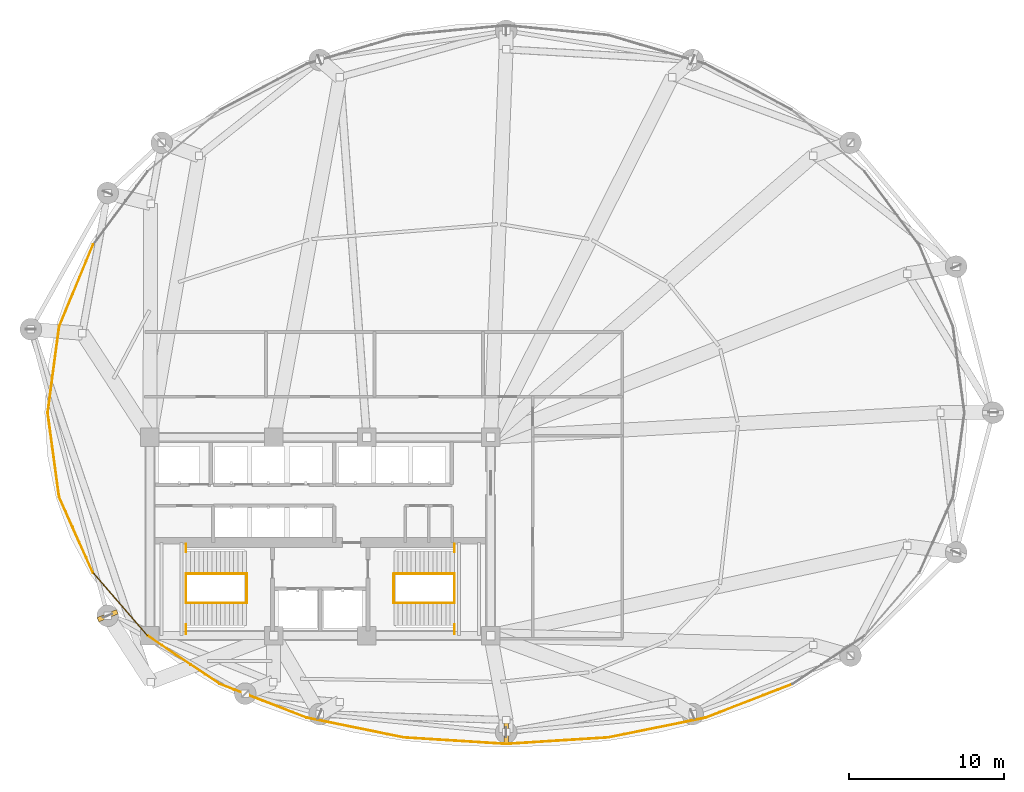
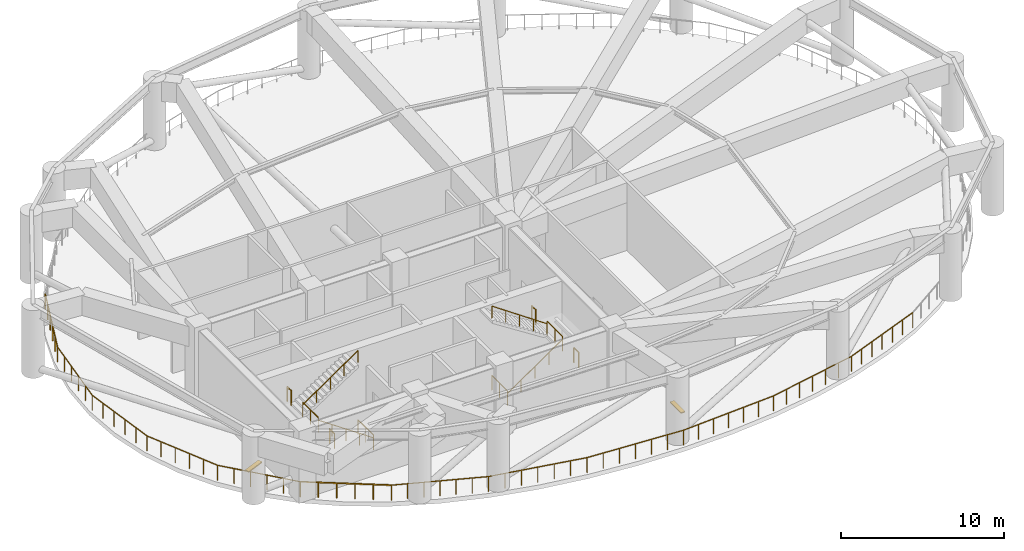
# One storey, part 8 of 9: 24 railings, 2 shading devices.
"""IFC4 building model written with IfcOpenShell, lengths in metres."""

from ifc_helpers import new_model, si_unit, direction, frame, origin, origin_2d, place, context, subcontext, project, spatial, rectangle, extrude, material, type_object, element, save


model = new_model("IFC4")

# Units and contexts
model_context = context("Model", 3, precision=1e-05, world=origin(), true_north=direction((0.0, 1.0)))
body_context = subcontext(model_context, "Body", "Model", "MODEL_VIEW")
ifc_project = project(units=[si_unit("LENGTHUNIT", "METRE"), si_unit("AREAUNIT", "SQUARE_METRE"), si_unit("VOLUMEUNIT", "CUBIC_METRE"), si_unit("PLANEANGLEUNIT", "RADIAN"), si_unit("MASSUNIT", "GRAM", prefix="KILO")], contexts=[model_context])

# Site, building, storey
site_placement = place(None, origin())
site = spatial("IfcSite", under=ifc_project, at=site_placement, CompositionType="ELEMENT")
building_placement = place(site_placement, origin())
building = spatial("IfcBuilding", under=site, at=building_placement, Name="Kazevale Care Tower and Concert Hall", CompositionType="ELEMENT")
storey_placement = place(building_placement, frame((0.0, 0.0, 92.39990234375)))
storey = spatial("IfcBuildingStorey", under=building, at=storey_placement, Name="L24", CompositionType="ELEMENT", Elevation=92.39990234375)

# Railings
ifc_material_1 = material(Name="Stainless Steel 316", Category="steel")
railing_type_1 = type_object("IfcRailingType", Name="Stair Pitch Handrail 920", PredefinedType="HANDRAIL", material=ifc_material_1)
railing_1_placement = place(storey_placement, frame((28.25, 25.699951171875, 0.0)))
element("IfcRailing", 1, at=railing_1_placement, inside=storey, type_object=railing_type_1, Name="stair:L24:ST1:hr1", PredefinedType="HANDRAIL", context=body_context, shape_type="SweptSolid", body=[
    extrude(rectangle(XDim=0.048095703125, YDim=0.048095703125, at=origin_2d()), frame((0.0, 0.0, 0.89599609375), z_axis=(-0.823526770215, 0.0, 0.56727740898), x_axis=(0.0, -1.0, 0.0)), (0.0, 0.0, 1.0), 4.760009765625),
    extrude(rectangle(XDim=0.0419921875, YDim=0.0419921875, at=origin_2d()), origin(), (0.0, 0.0, 1.0), 0.871826171875),
    extrude(rectangle(XDim=0.0419921875, YDim=0.0419921875, at=origin_2d()), frame((-0.97998046875, 0.0, 0.675048828125)), (0.0, 0.0, 1.0), 0.871826171875),
    extrude(rectangle(XDim=0.0419921875, YDim=0.0419921875, at=origin_2d()), frame((-1.9599609375, 0.0, 1.35009765625)), (0.0, 0.0, 1.0), 0.871826171875),
    extrude(rectangle(XDim=0.0419921875, YDim=0.0419921875, at=origin_2d()), frame((-2.93994140625, 0.0, 2.025146484375)), (0.0, 0.0, 1.0), 0.871826171875),
    extrude(rectangle(XDim=0.0419921875, YDim=0.0419921875, at=origin_2d()), frame((-3.919921875, 0.0, 2.7001953125)), (0.0, 0.0, 1.0), 0.871826171875),
])
railing_2_placement = place(storey_placement, frame((24.330078125, 27.60009765625, 2.7001953125)))
element("IfcRailing", 2, at=railing_2_placement, inside=storey, type_object=railing_type_1, Name="stair:L24:ST1:hr2", PredefinedType="HANDRAIL", context=body_context, shape_type="SweptSolid", body=[
    extrude(rectangle(XDim=0.048095703125, YDim=0.048095703125, at=origin_2d()), frame((0.0, 0.0, 0.89599609375), z_axis=(0.823550731654, 0.0, 0.567242622158), x_axis=(0.0, 1.0, 0.0)), (0.0, 0.0, 1.0), 4.759765625),
    extrude(rectangle(XDim=0.0419921875, YDim=0.0419921875, at=origin_2d()), origin(), (0.0, 0.0, 1.0), 0.871826171875),
    extrude(rectangle(XDim=0.0419921875, YDim=0.0419921875, at=origin_2d()), frame((0.97998046875, 0.0, 0.675048828125)), (0.0, 0.0, 1.0), 0.871826171875),
    extrude(rectangle(XDim=0.0419921875, YDim=0.0419921875, at=origin_2d()), frame((1.9599609375, 0.0, 1.35009765625)), (0.0, 0.0, 1.0), 0.871826171875),
    extrude(rectangle(XDim=0.0419921875, YDim=0.0419921875, at=origin_2d()), frame((2.93994140625, 0.0, 2.02490234375)), (0.0, 0.0, 1.0), 0.871826171875),
    extrude(rectangle(XDim=0.0419921875, YDim=0.0419921875, at=origin_2d()), frame((3.919921875, 0.0, 2.699951171875)), (0.0, 0.0, 1.0), 0.871826171875),
])
railing_3_placement = place(storey_placement, frame((37.75, 25.699951171875, 0.0)))
element("IfcRailing", 3, at=railing_3_placement, inside=storey, type_object=railing_type_1, Name="stair:L24:ST2:hr1", PredefinedType="HANDRAIL", context=body_context, shape_type="SweptSolid", body=[
    extrude(rectangle(XDim=0.048095703125, YDim=0.048095703125, at=origin_2d()), frame((0.0, 0.0, 0.89599609375), z_axis=(0.823526770215, 0.0, 0.56727740898), x_axis=(0.0, 1.0, 0.0)), (0.0, 0.0, 1.0), 4.760009765625),
    extrude(rectangle(XDim=0.0419921875, YDim=0.0419921875, at=origin_2d()), origin(), (0.0, 0.0, 1.0), 0.871826171875),
    extrude(rectangle(XDim=0.0419921875, YDim=0.0419921875, at=origin_2d()), frame((0.97998046875, 0.0, 0.675048828125)), (0.0, 0.0, 1.0), 0.871826171875),
    extrude(rectangle(XDim=0.0419921875, YDim=0.0419921875, at=origin_2d()), frame((1.9599609375, 0.0, 1.35009765625)), (0.0, 0.0, 1.0), 0.871826171875),
    extrude(rectangle(XDim=0.0419921875, YDim=0.0419921875, at=origin_2d()), frame((2.93994140625, 0.0, 2.025146484375)), (0.0, 0.0, 1.0), 0.871826171875),
    extrude(rectangle(XDim=0.0419921875, YDim=0.0419921875, at=origin_2d()), frame((3.919921875, 0.0, 2.7001953125)), (0.0, 0.0, 1.0), 0.871826171875),
])
railing_4_placement = place(storey_placement, frame((41.669921875, 27.60009765625, 2.7001953125)))
element("IfcRailing", 4, at=railing_4_placement, inside=storey, type_object=railing_type_1, Name="stair:L24:ST2:hr2", PredefinedType="HANDRAIL", context=body_context, shape_type="SweptSolid", body=[
    extrude(rectangle(XDim=0.048095703125, YDim=0.048095703125, at=origin_2d()), frame((0.0, 0.0, 0.89599609375), z_axis=(-0.823550731654, 0.0, 0.567242622158), x_axis=(0.0, -1.0, 0.0)), (0.0, 0.0, 1.0), 4.759765625),
    extrude(rectangle(XDim=0.0419921875, YDim=0.0419921875, at=origin_2d()), origin(), (0.0, 0.0, 1.0), 0.871826171875),
    extrude(rectangle(XDim=0.0419921875, YDim=0.0419921875, at=origin_2d()), frame((-0.97998046875, 0.0, 0.675048828125)), (0.0, 0.0, 1.0), 0.871826171875),
    extrude(rectangle(XDim=0.0419921875, YDim=0.0419921875, at=origin_2d()), frame((-1.9599609375, 0.0, 1.35009765625)), (0.0, 0.0, 1.0), 0.871826171875),
    extrude(rectangle(XDim=0.0419921875, YDim=0.0419921875, at=origin_2d()), frame((-2.93994140625, 0.0, 2.02490234375)), (0.0, 0.0, 1.0), 0.871826171875),
    extrude(rectangle(XDim=0.0419921875, YDim=0.0419921875, at=origin_2d()), frame((-3.919921875, 0.0, 2.699951171875)), (0.0, 0.0, 1.0), 0.871826171875),
])
railing_type_2 = type_object("IfcRailingType", Name="Stair Well Guard Balustrade 1120", PredefinedType="BALUSTRADE", material=ifc_material_1)
railing_5_placement = place(storey_placement, frame((24.330078125, 23.699951171875, 2.7001953125)))
element("IfcRailing", 5, at=railing_5_placement, inside=storey, type_object=railing_type_2, Name="stair:L24:ST1:grd_side1", PredefinedType="BALUSTRADE", context=body_context, shape_type="SweptSolid", body=[
    extrude(rectangle(XDim=0.048095703125, YDim=0.048095703125, at=origin_2d()), frame((0.0, 0.0, 1.09619140625), z_axis=(0.0, 1.0, 0.0), x_axis=(-1.0, 0.0, 0.0)), (0.0, 0.0, 1.0), 0.610107421875),
    extrude(rectangle(XDim=0.0419921875, YDim=0.0419921875, at=origin_2d()), origin(), (0.0, 0.0, 1.0), 1.072021484375),
    extrude(rectangle(XDim=0.0419921875, YDim=0.0419921875, at=origin_2d()), frame((0.0, 0.610107421875, 0.0)), (0.0, 0.0, 1.0), 1.072021484375),
])
railing_6_placement = place(storey_placement, frame((24.330078125, 28.989990234375, 2.7001953125)))
element("IfcRailing", 6, at=railing_6_placement, inside=storey, type_object=railing_type_2, Name="stair:L24:ST1:grd_side2", PredefinedType="BALUSTRADE", context=body_context, shape_type="SweptSolid", body=[
    extrude(rectangle(XDim=0.048095703125, YDim=0.048095703125, at=origin_2d()), frame((0.0, 0.0, 1.09619140625), z_axis=(0.0, 1.0, 0.0), x_axis=(-1.0, 0.0, 0.0)), (0.0, 0.0, 1.0), 0.510009765625),
    extrude(rectangle(XDim=0.0419921875, YDim=0.0419921875, at=origin_2d()), origin(), (0.0, 0.0, 1.0), 1.072021484375),
    extrude(rectangle(XDim=0.0419921875, YDim=0.0419921875, at=origin_2d()), frame((0.0, 0.510009765625, 0.0)), (0.0, 0.0, 1.0), 1.072021484375),
])
for number, where, name in (
    (7, (24.330078125, 25.699951171875, 2.7001953125), "stair:L24:ST1:grd_mid"),
    (8, (28.25, 25.699951171875, 0.0), "stair:L24:ST1:grd_flr"),
):
    element("IfcRailing", number, at=place(storey_placement, frame(where)), inside=storey, type_object=railing_type_2, Name=name, PredefinedType="BALUSTRADE", context=body_context, shape_type="SweptSolid", body=[
        extrude(rectangle(XDim=0.048095703125, YDim=0.048095703125, at=origin_2d()), frame((0.0, 0.0, 1.09619140625), z_axis=(0.0, 1.0, 0.0), x_axis=(-1.0, 0.0, 0.0)), (0.0, 0.0, 1.0), 1.900146484375),
        extrude(rectangle(XDim=0.0419921875, YDim=0.0419921875, at=origin_2d()), origin(), (0.0, 0.0, 1.0), 1.072021484375),
        extrude(rectangle(XDim=0.0419921875, YDim=0.0419921875, at=origin_2d()), frame((0.0, 0.9501953125, 0.0)), (0.0, 0.0, 1.0), 1.072021484375),
        extrude(rectangle(XDim=0.0419921875, YDim=0.0419921875, at=origin_2d()), frame((0.0, 1.900146484375, 0.0)), (0.0, 0.0, 1.0), 1.072021484375),
    ])
railing_7_placement = place(storey_placement, frame((41.669921875, 23.699951171875, 2.7001953125)))
element("IfcRailing", 9, at=railing_7_placement, inside=storey, type_object=railing_type_2, Name="stair:L24:ST2:grd_side1", PredefinedType="BALUSTRADE", context=body_context, shape_type="SweptSolid", body=[
    extrude(rectangle(XDim=0.048095703125, YDim=0.048095703125, at=origin_2d()), frame((0.0, 0.0, 1.09619140625), z_axis=(0.0, 1.0, 0.0), x_axis=(-1.0, 0.0, 0.0)), (0.0, 0.0, 1.0), 0.610107421875),
    extrude(rectangle(XDim=0.0419921875, YDim=0.0419921875, at=origin_2d()), origin(), (0.0, 0.0, 1.0), 1.072021484375),
    extrude(rectangle(XDim=0.0419921875, YDim=0.0419921875, at=origin_2d()), frame((0.0, 0.610107421875, 0.0)), (0.0, 0.0, 1.0), 1.072021484375),
])
railing_8_placement = place(storey_placement, frame((41.669921875, 28.989990234375, 2.7001953125)))
element("IfcRailing", 10, at=railing_8_placement, inside=storey, type_object=railing_type_2, Name="stair:L24:ST2:grd_side2", PredefinedType="BALUSTRADE", context=body_context, shape_type="SweptSolid", body=[
    extrude(rectangle(XDim=0.048095703125, YDim=0.048095703125, at=origin_2d()), frame((0.0, 0.0, 1.09619140625), z_axis=(0.0, 1.0, 0.0), x_axis=(-1.0, 0.0, 0.0)), (0.0, 0.0, 1.0), 0.510009765625),
    extrude(rectangle(XDim=0.0419921875, YDim=0.0419921875, at=origin_2d()), origin(), (0.0, 0.0, 1.0), 1.072021484375),
    extrude(rectangle(XDim=0.0419921875, YDim=0.0419921875, at=origin_2d()), frame((0.0, 0.510009765625, 0.0)), (0.0, 0.0, 1.0), 1.072021484375),
])
for number, where, name in (
    (11, (41.669921875, 25.699951171875, 2.7001953125), "stair:L24:ST2:grd_mid"),
    (12, (37.75, 25.699951171875, 0.0), "stair:L24:ST2:grd_flr"),
):
    element("IfcRailing", number, at=place(storey_placement, frame(where)), inside=storey, type_object=railing_type_2, Name=name, PredefinedType="BALUSTRADE", context=body_context, shape_type="SweptSolid", body=[
        extrude(rectangle(XDim=0.048095703125, YDim=0.048095703125, at=origin_2d()), frame((0.0, 0.0, 1.09619140625), z_axis=(0.0, 1.0, 0.0), x_axis=(-1.0, 0.0, 0.0)), (0.0, 0.0, 1.0), 1.900146484375),
        extrude(rectangle(XDim=0.0419921875, YDim=0.0419921875, at=origin_2d()), origin(), (0.0, 0.0, 1.0), 1.072021484375),
        extrude(rectangle(XDim=0.0419921875, YDim=0.0419921875, at=origin_2d()), frame((0.0, 0.9501953125, 0.0)), (0.0, 0.0, 1.0), 1.072021484375),
        extrude(rectangle(XDim=0.0419921875, YDim=0.0419921875, at=origin_2d()), frame((0.0, 1.900146484375, 0.0)), (0.0, 0.0, 1.0), 1.072021484375),
    ])
railing_type_3 = type_object("IfcRailingType", Name="Wind-Floor & Portal Guardrail 1150", PredefinedType="BALUSTRADE", material=ifc_material_1)
railing_9_placement = place(storey_placement, frame((63.489013671875, 20.469970703125, 0.0)))
element("IfcRailing", 13, at=railing_9_placement, inside=storey, type_object=railing_type_3, Name="rail:L24:wind_perim:05", PredefinedType="BALUSTRADE", context=body_context, shape_type="SweptSolid", body=[
    extrude(rectangle(XDim=0.048095703125, YDim=0.048095703125, at=origin_2d()), frame((0.0, 0.0, 1.1259765625), z_axis=(-0.93226535397, -0.361775219974, 0.0), x_axis=(0.361775219974, -0.93226535397, 0.0)), (0.0, 0.0, 1.0), 6.02294921875),
    extrude(rectangle(XDim=0.0419921875, YDim=0.0419921875, at=origin_2d()), origin(), (0.0, 0.0, 1.0), 1.101806640625),
    extrude(rectangle(XDim=0.0419921875, YDim=0.0419921875, at=origin_2d()), frame((-0.935791015625, -0.36328125, 0.0)), (0.0, 0.0, 1.0), 1.101806640625),
    extrude(rectangle(XDim=0.0419921875, YDim=0.0419921875, at=origin_2d()), frame((-1.87158203125, -0.726318359375, 0.0)), (0.0, 0.0, 1.0), 1.101806640625),
    extrude(rectangle(XDim=0.0419921875, YDim=0.0419921875, at=origin_2d()), frame((-2.8076171875, -1.08935546875, 0.0)), (0.0, 0.0, 1.0), 1.101806640625),
    extrude(rectangle(XDim=0.0419921875, YDim=0.0419921875, at=origin_2d()), frame((-3.743408203125, -1.45263671875, 0.0)), (0.0, 0.0, 1.0), 1.101806640625),
    extrude(rectangle(XDim=0.0419921875, YDim=0.0419921875, at=origin_2d()), frame((-4.67919921875, -1.81591796875, 0.0)), (0.0, 0.0, 1.0), 1.101806640625),
    extrude(rectangle(XDim=0.0419921875, YDim=0.0419921875, at=origin_2d()), frame((-5.614990234375, -2.178955078125, 0.0)), (0.0, 0.0, 1.0), 1.101806640625),
])
railing_10_placement = place(storey_placement, frame((57.8740234375, 18.291015625, 0.0)))
element("IfcRailing", 14, at=railing_10_placement, inside=storey, type_object=railing_type_3, Name="rail:L24:wind_perim:06", PredefinedType="BALUSTRADE", context=body_context, shape_type="SweptSolid", body=[
    extrude(rectangle(XDim=0.048095703125, YDim=0.048095703125, at=origin_2d()), frame((0.0, 0.0, 1.1259765625), z_axis=(-0.97997126342, -0.199138953677, 0.0), x_axis=(0.199138953677, -0.97997126342, 0.0)), (0.0, 0.0, 1.0), 6.397216796875),
    extrude(rectangle(XDim=0.0419921875, YDim=0.0419921875, at=origin_2d()), origin(), (0.0, 0.0, 1.0), 1.101806640625),
    extrude(rectangle(XDim=0.0419921875, YDim=0.0419921875, at=origin_2d()), frame((-1.044921875, -0.21240234375, 0.0)), (0.0, 0.0, 1.0), 1.101806640625),
    extrude(rectangle(XDim=0.0419921875, YDim=0.0419921875, at=origin_2d()), frame((-2.089599609375, -0.424560546875, 0.0)), (0.0, 0.0, 1.0), 1.101806640625),
    extrude(rectangle(XDim=0.0419921875, YDim=0.0419921875, at=origin_2d()), frame((-3.134521484375, -0.636962890625, 0.0)), (0.0, 0.0, 1.0), 1.101806640625),
    extrude(rectangle(XDim=0.0419921875, YDim=0.0419921875, at=origin_2d()), frame((-4.179443359375, -0.849365234375, 0.0)), (0.0, 0.0, 1.0), 1.101806640625),
    extrude(rectangle(XDim=0.0419921875, YDim=0.0419921875, at=origin_2d()), frame((-5.22412109375, -1.0615234375, 0.0)), (0.0, 0.0, 1.0), 1.101806640625),
    extrude(rectangle(XDim=0.0419921875, YDim=0.0419921875, at=origin_2d()), frame((-6.26904296875, -1.27392578125, 0.0)), (0.0, 0.0, 1.0), 1.101806640625),
])
railing_11_placement = place(storey_placement, frame((51.60498046875, 17.01708984375, 0.0)))
element("IfcRailing", 15, at=railing_11_placement, inside=storey, type_object=railing_type_3, Name="rail:L24:wind_perim:07", PredefinedType="BALUSTRADE", context=body_context, shape_type="SweptSolid", body=[
    extrude(rectangle(XDim=0.048095703125, YDim=0.048095703125, at=origin_2d()), frame((0.0, 0.0, 1.1259765625), z_axis=(-0.998013050262, -0.063007551188, 0.0), x_axis=(0.063007551188, -0.998013050262, 0.0)), (0.0, 0.0, 1.0), 6.6181640625),
    extrude(rectangle(XDim=0.0419921875, YDim=0.0419921875, at=origin_2d()), origin(), (0.0, 0.0, 1.0), 1.101806640625),
    extrude(rectangle(XDim=0.0419921875, YDim=0.0419921875, at=origin_2d()), frame((-1.100830078125, -0.069580078125, 0.0)), (0.0, 0.0, 1.0), 1.101806640625),
    extrude(rectangle(XDim=0.0419921875, YDim=0.0419921875, at=origin_2d()), frame((-2.20166015625, -0.138916015625, 0.0)), (0.0, 0.0, 1.0), 1.101806640625),
    extrude(rectangle(XDim=0.0419921875, YDim=0.0419921875, at=origin_2d()), frame((-3.302490234375, -0.20849609375, 0.0)), (0.0, 0.0, 1.0), 1.101806640625),
    extrude(rectangle(XDim=0.0419921875, YDim=0.0419921875, at=origin_2d()), frame((-4.4033203125, -0.278076171875, 0.0)), (0.0, 0.0, 1.0), 1.101806640625),
    extrude(rectangle(XDim=0.0419921875, YDim=0.0419921875, at=origin_2d()), frame((-5.504150390625, -0.347412109375, 0.0)), (0.0, 0.0, 1.0), 1.101806640625),
    extrude(rectangle(XDim=0.0419921875, YDim=0.0419921875, at=origin_2d()), frame((-6.60498046875, -0.4169921875, 0.0)), (0.0, 0.0, 1.0), 1.101806640625),
])
railing_12_placement = place(storey_placement, frame((45.0, 16.60009765625, 0.0)))
element("IfcRailing", 16, at=railing_12_placement, inside=storey, type_object=railing_type_3, Name="rail:L24:wind_perim:08", PredefinedType="BALUSTRADE", context=body_context, shape_type="SweptSolid", body=[
    extrude(rectangle(XDim=0.048095703125, YDim=0.048095703125, at=origin_2d()), frame((0.0, 0.0, 1.1259765625), z_axis=(-0.998013050262, 0.063007551188, 0.0), x_axis=(-0.063007551188, -0.998013050262, 0.0)), (0.0, 0.0, 1.0), 6.6181640625),
    extrude(rectangle(XDim=0.0419921875, YDim=0.0419921875, at=origin_2d()), origin(), (0.0, 0.0, 1.0), 1.101806640625),
    extrude(rectangle(XDim=0.0419921875, YDim=0.0419921875, at=origin_2d()), frame((-1.100830078125, 0.069580078125, 0.0)), (0.0, 0.0, 1.0), 1.101806640625),
    extrude(rectangle(XDim=0.0419921875, YDim=0.0419921875, at=origin_2d()), frame((-2.20166015625, 0.138916015625, 0.0)), (0.0, 0.0, 1.0), 1.101806640625),
    extrude(rectangle(XDim=0.0419921875, YDim=0.0419921875, at=origin_2d()), frame((-3.302490234375, 0.20849609375, 0.0)), (0.0, 0.0, 1.0), 1.101806640625),
    extrude(rectangle(XDim=0.0419921875, YDim=0.0419921875, at=origin_2d()), frame((-4.4033203125, 0.278076171875, 0.0)), (0.0, 0.0, 1.0), 1.101806640625),
    extrude(rectangle(XDim=0.0419921875, YDim=0.0419921875, at=origin_2d()), frame((-5.504150390625, 0.347412109375, 0.0)), (0.0, 0.0, 1.0), 1.101806640625),
    extrude(rectangle(XDim=0.0419921875, YDim=0.0419921875, at=origin_2d()), frame((-6.60498046875, 0.4169921875, 0.0)), (0.0, 0.0, 1.0), 1.101806640625),
])
railing_13_placement = place(storey_placement, frame((38.39501953125, 17.01708984375, 0.0)))
element("IfcRailing", 17, at=railing_13_placement, inside=storey, type_object=railing_type_3, Name="rail:L24:wind_perim:09", PredefinedType="BALUSTRADE", context=body_context, shape_type="SweptSolid", body=[
    extrude(rectangle(XDim=0.048095703125, YDim=0.048095703125, at=origin_2d()), frame((0.0, 0.0, 1.1259765625), z_axis=(-0.97997126342, 0.199138953677, 0.0), x_axis=(-0.199138953677, -0.97997126342, 0.0)), (0.0, 0.0, 1.0), 6.397216796875),
    extrude(rectangle(XDim=0.0419921875, YDim=0.0419921875, at=origin_2d()), origin(), (0.0, 0.0, 1.0), 1.101806640625),
    extrude(rectangle(XDim=0.0419921875, YDim=0.0419921875, at=origin_2d()), frame((-1.044921875, 0.21240234375, 0.0)), (0.0, 0.0, 1.0), 1.101806640625),
    extrude(rectangle(XDim=0.0419921875, YDim=0.0419921875, at=origin_2d()), frame((-2.089599609375, 0.424560546875, 0.0)), (0.0, 0.0, 1.0), 1.101806640625),
    extrude(rectangle(XDim=0.0419921875, YDim=0.0419921875, at=origin_2d()), frame((-3.134521484375, 0.636962890625, 0.0)), (0.0, 0.0, 1.0), 1.101806640625),
    extrude(rectangle(XDim=0.0419921875, YDim=0.0419921875, at=origin_2d()), frame((-4.179443359375, 0.849365234375, 0.0)), (0.0, 0.0, 1.0), 1.101806640625),
    extrude(rectangle(XDim=0.0419921875, YDim=0.0419921875, at=origin_2d()), frame((-5.22412109375, 1.0615234375, 0.0)), (0.0, 0.0, 1.0), 1.101806640625),
    extrude(rectangle(XDim=0.0419921875, YDim=0.0419921875, at=origin_2d()), frame((-6.26904296875, 1.27392578125, 0.0)), (0.0, 0.0, 1.0), 1.101806640625),
])
railing_14_placement = place(storey_placement, frame((32.1259765625, 18.291015625, 0.0)))
element("IfcRailing", 18, at=railing_14_placement, inside=storey, type_object=railing_type_3, Name="rail:L24:wind_perim:10", PredefinedType="BALUSTRADE", context=body_context, shape_type="SweptSolid", body=[
    extrude(rectangle(XDim=0.048095703125, YDim=0.048095703125, at=origin_2d()), frame((0.0, 0.0, 1.1259765625), z_axis=(-0.93226535397, 0.361775219974, 0.0), x_axis=(-0.361775219974, -0.93226535397, 0.0)), (0.0, 0.0, 1.0), 6.02294921875),
    extrude(rectangle(XDim=0.0419921875, YDim=0.0419921875, at=origin_2d()), origin(), (0.0, 0.0, 1.0), 1.101806640625),
    extrude(rectangle(XDim=0.0419921875, YDim=0.0419921875, at=origin_2d()), frame((-0.935791015625, 0.36328125, 0.0)), (0.0, 0.0, 1.0), 1.101806640625),
    extrude(rectangle(XDim=0.0419921875, YDim=0.0419921875, at=origin_2d()), frame((-1.87158203125, 0.726318359375, 0.0)), (0.0, 0.0, 1.0), 1.101806640625),
    extrude(rectangle(XDim=0.0419921875, YDim=0.0419921875, at=origin_2d()), frame((-2.8076171875, 1.08935546875, 0.0)), (0.0, 0.0, 1.0), 1.101806640625),
    extrude(rectangle(XDim=0.0419921875, YDim=0.0419921875, at=origin_2d()), frame((-3.743408203125, 1.45263671875, 0.0)), (0.0, 0.0, 1.0), 1.101806640625),
    extrude(rectangle(XDim=0.0419921875, YDim=0.0419921875, at=origin_2d()), frame((-4.67919921875, 1.81591796875, 0.0)), (0.0, 0.0, 1.0), 1.101806640625),
    extrude(rectangle(XDim=0.0419921875, YDim=0.0419921875, at=origin_2d()), frame((-5.614990234375, 2.178955078125, 0.0)), (0.0, 0.0, 1.0), 1.101806640625),
])
railing_15_placement = place(storey_placement, frame((26.510986328125, 20.469970703125, 0.0)))
element("IfcRailing", 19, at=railing_15_placement, inside=storey, type_object=railing_type_3, Name="rail:L24:wind_perim:11", PredefinedType="BALUSTRADE", context=body_context, shape_type="SweptSolid", body=[
    extrude(rectangle(XDim=0.048095703125, YDim=0.048095703125, at=origin_2d()), frame((0.0, 0.0, 1.1259765625), z_axis=(-0.831368800412, 0.55572107905, 0.0), x_axis=(-0.55572107905, -0.831368800412, 0.0)), (0.0, 0.0, 1.0), 5.626953125),
    extrude(rectangle(XDim=0.0419921875, YDim=0.0419921875, at=origin_2d()), origin(), (0.0, 0.0, 1.0), 1.101806640625),
    extrude(rectangle(XDim=0.0419921875, YDim=0.0419921875, at=origin_2d()), frame((-0.935546875, 0.62548828125, 0.0)), (0.0, 0.0, 1.0), 1.101806640625),
    extrude(rectangle(XDim=0.0419921875, YDim=0.0419921875, at=origin_2d()), frame((-1.87109375, 1.250732421875, 0.0)), (0.0, 0.0, 1.0), 1.101806640625),
    extrude(rectangle(XDim=0.0419921875, YDim=0.0419921875, at=origin_2d()), frame((-2.806884765625, 1.876220703125, 0.0)), (0.0, 0.0, 1.0), 1.101806640625),
    extrude(rectangle(XDim=0.0419921875, YDim=0.0419921875, at=origin_2d()), frame((-3.742431640625, 2.50146484375, 0.0)), (0.0, 0.0, 1.0), 1.101806640625),
    extrude(rectangle(XDim=0.0419921875, YDim=0.0419921875, at=origin_2d()), frame((-4.677978515625, 3.126953125, 0.0)), (0.0, 0.0, 1.0), 1.101806640625),
])
railing_16_placement = place(storey_placement, frame((21.8330078125, 23.596923828125, 0.0)))
element("IfcRailing", 20, at=railing_16_placement, inside=storey, type_object=railing_type_3, Name="rail:L24:wind_perim:12", PredefinedType="BALUSTRADE", context=body_context, shape_type="SweptSolid", body=[
    extrude(rectangle(XDim=0.048095703125, YDim=0.048095703125, at=origin_2d()), frame((0.0, 0.0, 1.1259765625), z_axis=(-0.654135765979, 0.756377154379, 0.0), x_axis=(-0.756377154379, -0.654135765979, 0.0)), (0.0, 0.0, 1.0), 5.370361328125),
    extrude(rectangle(XDim=0.0419921875, YDim=0.0419921875, at=origin_2d()), origin(), (0.0, 0.0, 1.0), 1.101806640625),
    extrude(rectangle(XDim=0.0419921875, YDim=0.0419921875, at=origin_2d()), frame((-0.70263671875, 0.8125, 0.0)), (0.0, 0.0, 1.0), 1.101806640625),
    extrude(rectangle(XDim=0.0419921875, YDim=0.0419921875, at=origin_2d()), frame((-1.4052734375, 1.624755859375, 0.0)), (0.0, 0.0, 1.0), 1.101806640625),
    extrude(rectangle(XDim=0.0419921875, YDim=0.0419921875, at=origin_2d()), frame((-2.107666015625, 2.437255859375, 0.0)), (0.0, 0.0, 1.0), 1.101806640625),
    extrude(rectangle(XDim=0.0419921875, YDim=0.0419921875, at=origin_2d()), frame((-2.810302734375, 3.24951171875, 0.0)), (0.0, 0.0, 1.0), 1.101806640625),
    extrude(rectangle(XDim=0.0419921875, YDim=0.0419921875, at=origin_2d()), frame((-3.512939453125, 4.06201171875, 0.0)), (0.0, 0.0, 1.0), 1.101806640625),
])
railing_17_placement = place(storey_placement, frame((18.320068359375, 27.658935546875, 0.0)))
element("IfcRailing", 21, at=railing_17_placement, inside=storey, type_object=railing_type_3, Name="rail:L24:wind_perim:13", PredefinedType="BALUSTRADE", context=body_context, shape_type="SweptSolid", body=[
    extrude(rectangle(XDim=0.048095703125, YDim=0.048095703125, at=origin_2d()), frame((0.0, 0.0, 1.1259765625), z_axis=(-0.407484373452, 0.913212179831, 0.0), x_axis=(-0.913212179831, -0.407484373452, 0.0)), (0.0, 0.0, 1.0), 5.350341796875),
    extrude(rectangle(XDim=0.0419921875, YDim=0.0419921875, at=origin_2d()), origin(), (0.0, 0.0, 1.0), 1.101806640625),
    extrude(rectangle(XDim=0.0419921875, YDim=0.0419921875, at=origin_2d()), frame((-0.43603515625, 0.977294921875, 0.0)), (0.0, 0.0, 1.0), 1.101806640625),
    extrude(rectangle(XDim=0.0419921875, YDim=0.0419921875, at=origin_2d()), frame((-0.8720703125, 1.954345703125, 0.0)), (0.0, 0.0, 1.0), 1.101806640625),
    extrude(rectangle(XDim=0.0419921875, YDim=0.0419921875, at=origin_2d()), frame((-1.30810546875, 2.931640625, 0.0)), (0.0, 0.0, 1.0), 1.101806640625),
    extrude(rectangle(XDim=0.0419921875, YDim=0.0419921875, at=origin_2d()), frame((-1.744140625, 3.90869140625, 0.0)), (0.0, 0.0, 1.0), 1.101806640625),
    extrude(rectangle(XDim=0.0419921875, YDim=0.0419921875, at=origin_2d()), frame((-2.18017578125, 4.885986328125, 0.0)), (0.0, 0.0, 1.0), 1.101806640625),
])
railing_18_placement = place(storey_placement, frame((16.139892578125, 32.544921875, 0.0)))
element("IfcRailing", 22, at=railing_18_placement, inside=storey, type_object=railing_type_3, Name="rail:L24:wind_perim:14", PredefinedType="BALUSTRADE", context=body_context, shape_type="SweptSolid", body=[
    extrude(rectangle(XDim=0.048095703125, YDim=0.048095703125, at=origin_2d()), frame((0.0, 0.0, 1.1259765625), z_axis=(-0.134420506473, 0.990924380283, 0.0), x_axis=(-0.990924380283, -0.134420506473, 0.0)), (0.0, 0.0, 1.0), 5.505126953125),
    extrude(rectangle(XDim=0.0419921875, YDim=0.0419921875, at=origin_2d()), origin(), (0.0, 0.0, 1.0), 1.101806640625),
    extrude(rectangle(XDim=0.0419921875, YDim=0.0419921875, at=origin_2d()), frame((-0.14794921875, 1.091064453125, 0.0)), (0.0, 0.0, 1.0), 1.101806640625),
    extrude(rectangle(XDim=0.0419921875, YDim=0.0419921875, at=origin_2d()), frame((-0.2958984375, 2.18212890625, 0.0)), (0.0, 0.0, 1.0), 1.101806640625),
    extrude(rectangle(XDim=0.0419921875, YDim=0.0419921875, at=origin_2d()), frame((-0.444091796875, 3.27294921875, 0.0)), (0.0, 0.0, 1.0), 1.101806640625),
    extrude(rectangle(XDim=0.0419921875, YDim=0.0419921875, at=origin_2d()), frame((-0.592041015625, 4.364013671875, 0.0)), (0.0, 0.0, 1.0), 1.101806640625),
    extrude(rectangle(XDim=0.0419921875, YDim=0.0419921875, at=origin_2d()), frame((-0.739990234375, 5.455078125, 0.0)), (0.0, 0.0, 1.0), 1.101806640625),
])
railing_19_placement = place(storey_placement, frame((15.39990234375, 38.0, 0.0)))
element("IfcRailing", 23, at=railing_19_placement, inside=storey, type_object=railing_type_3, Name="rail:L24:wind_perim:15", PredefinedType="BALUSTRADE", context=body_context, shape_type="SweptSolid", body=[
    extrude(rectangle(XDim=0.048095703125, YDim=0.048095703125, at=origin_2d()), frame((0.0, 0.0, 1.1259765625), z_axis=(0.13226074004, 0.991214959857, 0.0), x_axis=(-0.991214959857, 0.13226074004, 0.0)), (0.0, 0.0, 1.0), 5.604248046875),
    extrude(rectangle(XDim=0.0419921875, YDim=0.0419921875, at=origin_2d()), origin(), (0.0, 0.0, 1.0), 1.101806640625),
    extrude(rectangle(XDim=0.0419921875, YDim=0.0419921875, at=origin_2d()), frame((0.148193359375, 1.111083984375, 0.0)), (0.0, 0.0, 1.0), 1.101806640625),
    extrude(rectangle(XDim=0.0419921875, YDim=0.0419921875, at=origin_2d()), frame((0.29638671875, 2.221923828125, 0.0)), (0.0, 0.0, 1.0), 1.101806640625),
    extrude(rectangle(XDim=0.0419921875, YDim=0.0419921875, at=origin_2d()), frame((0.44482421875, 3.3330078125, 0.0)), (0.0, 0.0, 1.0), 1.101806640625),
    extrude(rectangle(XDim=0.0419921875, YDim=0.0419921875, at=origin_2d()), frame((0.593017578125, 4.44384765625, 0.0)), (0.0, 0.0, 1.0), 1.101806640625),
    extrude(rectangle(XDim=0.0419921875, YDim=0.0419921875, at=origin_2d()), frame((0.7412109375, 5.554931640625, 0.0)), (0.0, 0.0, 1.0), 1.101806640625),
])
railing_20_placement = place(storey_placement, frame((16.14111328125, 43.554931640625, 0.0)))
element("IfcRailing", 24, at=railing_20_placement, inside=storey, type_object=railing_type_3, Name="rail:L24:wind_perim:16", PredefinedType="BALUSTRADE", context=body_context, shape_type="SweptSolid", body=[
    extrude(rectangle(XDim=0.048095703125, YDim=0.048095703125, at=origin_2d()), frame((0.0, 0.0, 1.1259765625), z_axis=(0.382202087833, 0.924078765072, 0.0), x_axis=(-0.924078765072, 0.382202087833, 0.0)), (0.0, 0.0, 1.0), 5.7138671875),
    extrude(rectangle(XDim=0.0419921875, YDim=0.0419921875, at=origin_2d()), origin(), (0.0, 0.0, 1.0), 1.101806640625),
    extrude(rectangle(XDim=0.0419921875, YDim=0.0419921875, at=origin_2d()), frame((0.436767578125, 1.055908203125, 0.0)), (0.0, 0.0, 1.0), 1.101806640625),
    extrude(rectangle(XDim=0.0419921875, YDim=0.0419921875, at=origin_2d()), frame((0.87353515625, 2.112060546875, 0.0)), (0.0, 0.0, 1.0), 1.101806640625),
    extrude(rectangle(XDim=0.0419921875, YDim=0.0419921875, at=origin_2d()), frame((1.310302734375, 3.16796875, 0.0)), (0.0, 0.0, 1.0), 1.101806640625),
    extrude(rectangle(XDim=0.0419921875, YDim=0.0419921875, at=origin_2d()), frame((1.7470703125, 4.22412109375, 0.0)), (0.0, 0.0, 1.0), 1.101806640625),
    extrude(rectangle(XDim=0.0419921875, YDim=0.0419921875, at=origin_2d()), frame((2.183837890625, 5.280029296875, 0.0)), (0.0, 0.0, 1.0), 1.101806640625),
])

# Shading devices
ifc_material_2 = material(Name="Aluminium 6063-T6", Category="aluminium")
shading_device_type = type_object("IfcShadingDeviceType", Name="Wind-Floor Acoustic Storm Louvre Blade LVR-01", PredefinedType="USERDEFINED", material=ifc_material_2)
for number, where, z_axis, x_axis, name in (
    (25, (19.27001953125, 24.8798828125, 2.360107421875), (0.0, 0.0, 1.0), (-0.923879532511, -0.382683432365, 0.0), "louvre:L24:10"),
    (26, (45.0, 17.35009765625, 2.360107421875), (0.0, 0.0, 1.0), (0.0, -1.0, 0.0), "louvre:L24:13"),
):
    element("IfcShadingDevice", number, at=place(storey_placement, frame(where, z_axis=z_axis, x_axis=x_axis)), inside=storey, type_object=shading_device_type, Name=name, ObjectType="LOUVRE", PredefinedType="USERDEFINED", context=body_context, shape_type="SweptSolid", body=[
        extrude(rectangle(XDim=1.35009765625, YDim=0.300048828125, at=origin_2d()), origin(), (0.0, 0.0, 1.0), 0.080078125),
    ])

save(model, "model.ifc")
